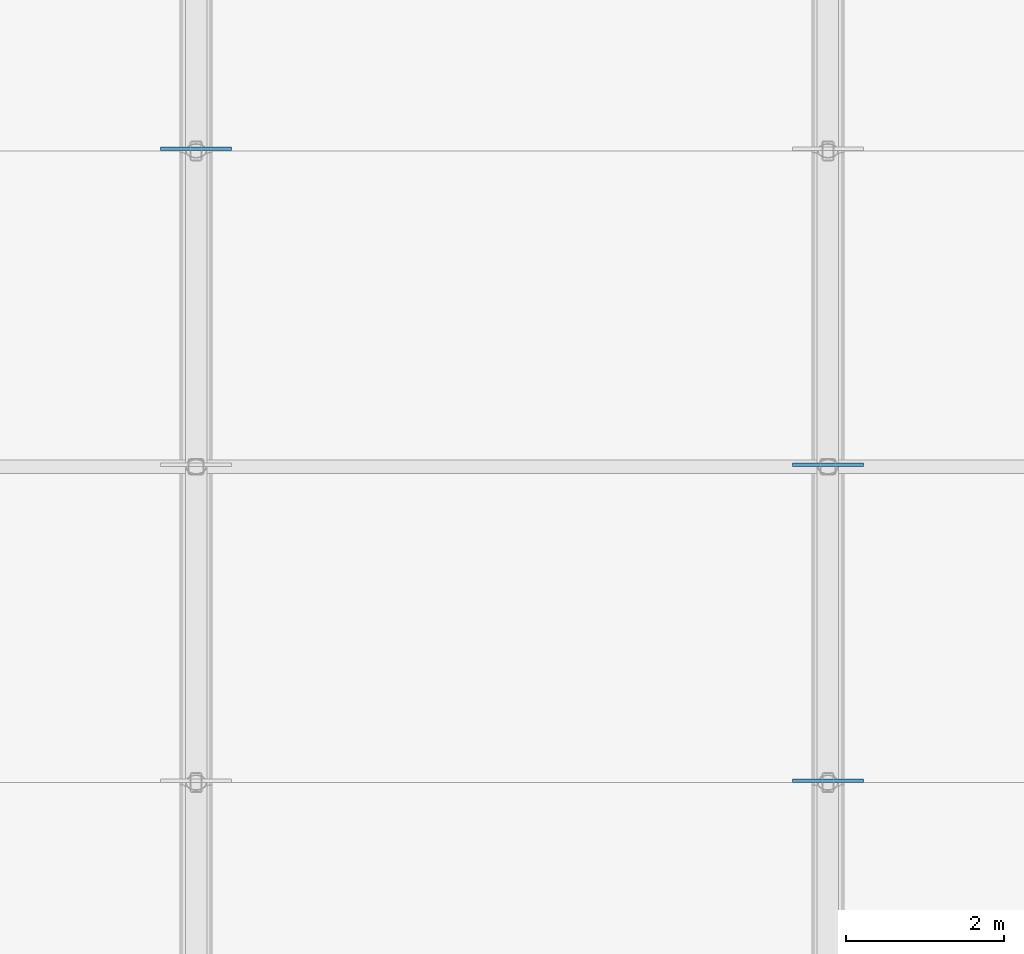
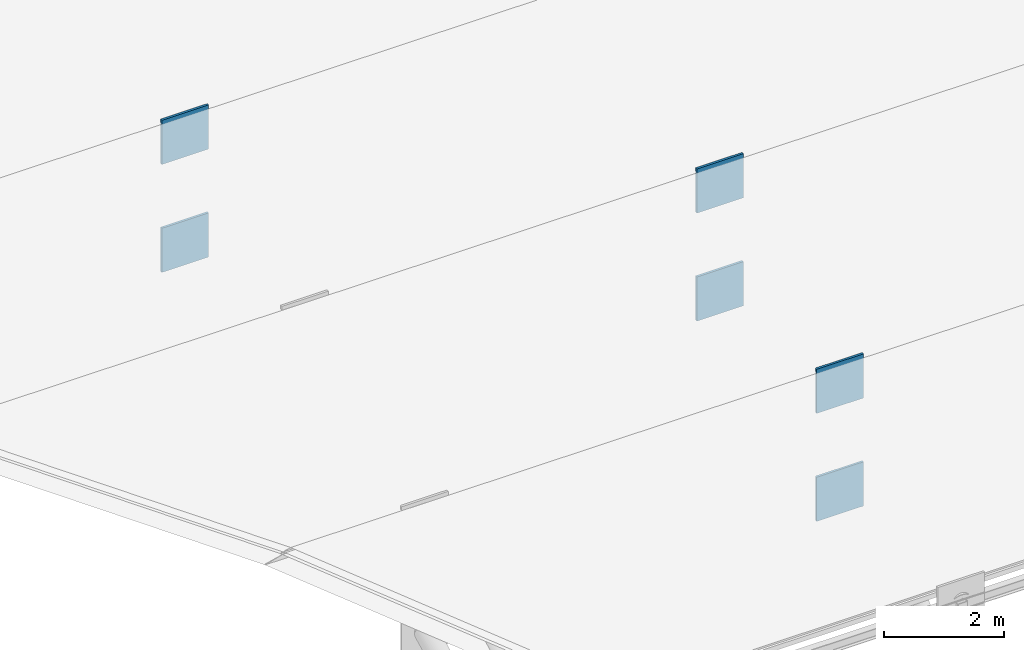
# One storey, part 67 of 98: 6 plates.
"""IFC4 building model written with IfcOpenShell, lengths in metres."""

from ifc_helpers import new_model, si_unit, direction, frame, origin, origin_2d, place, context, subcontext, project, spatial, rectangle, extrude, material, layer, layer_set, type_object, element, save


model = new_model("IFC4")

# Units and contexts
model_context = context("Model", 3, precision=1e-05, world=origin(), true_north=direction((0.0, 1.0)))
body_context = subcontext(model_context, "Body", "Model", "MODEL_VIEW")
ifc_project = project(units=[si_unit("LENGTHUNIT", "METRE"), si_unit("AREAUNIT", "SQUARE_METRE"), si_unit("VOLUMEUNIT", "CUBIC_METRE"), si_unit("PLANEANGLEUNIT", "RADIAN"), si_unit("MASSUNIT", "GRAM", prefix="KILO")], contexts=[model_context])

# Site, building, storey
site_placement = place(None, origin())
site = spatial("IfcSite", under=ifc_project, at=site_placement, CompositionType="ELEMENT")
building_placement = place(site_placement, origin())
building = spatial("IfcBuilding", under=site, at=building_placement, Name="Tlacozan Convention Centre", CompositionType="ELEMENT")
storey_placement = place(building_placement, frame((0.0, 0.0, 25.800048828125)))
storey = spatial("IfcBuildingStorey", under=building, at=storey_placement, Name="Roof", CompositionType="ELEMENT", Elevation=25.800048828125)

# Plates
ifc_material = material(Name="Steel ASTM A572 Grade 50", Category="steel")
ifc_layer = layer(ifc_material, 0.044921875)
ifc_layer_set = layer_set([ifc_layer], Name="Steel ASTM A572 Grade 50")
plate_type = type_object("IfcPlateType", Name="Arch Springing Node Gusset Plate", PredefinedType="SHEET", material=ifc_layer_set)
for number, where, z_axis, x_axis, name in (
    (1, (80.0, 74.025146484375, -6.049072265625), (0.0, 0.0, 1.0), (0.0, 1.0, 0.0), "Roof Gusset Cap Plate 347"),
    (2, (80.0, 74.025146484375, -8.2490234375), (0.0, 0.0, 1.0), (0.0, 1.0, 0.0), "Roof Gusset Cap Plate 348"),
    (3, (88.0, 66.023681640625, -9.070556640625), (0.0, 0.0, 1.0), (0.0, 1.0, 0.0), "Roof Gusset Cap Plate 376"),
    (4, (88.0, 66.023681640625, -11.2705078125), (0.0, 0.0, 1.0), (0.0, 1.0, 0.0), "Roof Gusset Cap Plate 378"),
    (5, (88.0, 70.0244140625, -7.416015625), (0.0, 0.0, 1.0), (0.0, 1.0, 0.0), "Roof Gusset Cap Plate 379"),
    (6, (88.0, 70.0244140625, -9.615966796875), (0.0, 0.0, 1.0), (0.0, 1.0, 0.0), "Roof Gusset Cap Plate 380"),
):
    element("IfcPlate", number, at=place(storey_placement, frame(where, z_axis=z_axis, x_axis=x_axis)), inside=storey, type_object=plate_type, Name=name, PredefinedType="SHEET", context=body_context, shape_type="SweptSolid", body=[
        extrude(rectangle(XDim=0.044921875, YDim=0.89990234375, at=origin_2d()), origin(), (0.0, 0.0, 1.0), 0.89990234375),
    ])

save(model, "model.ifc")
